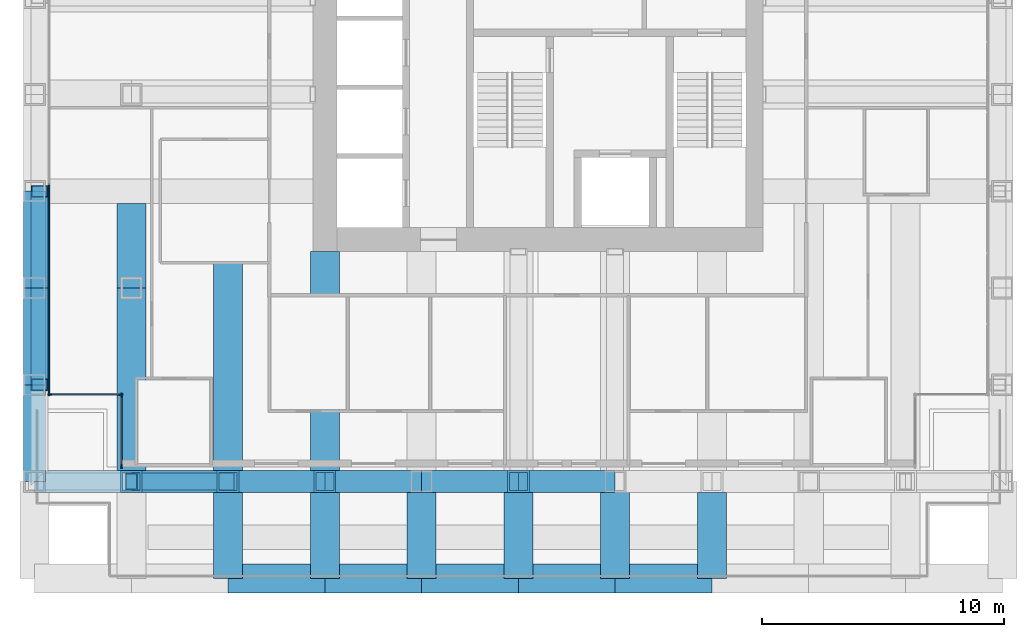
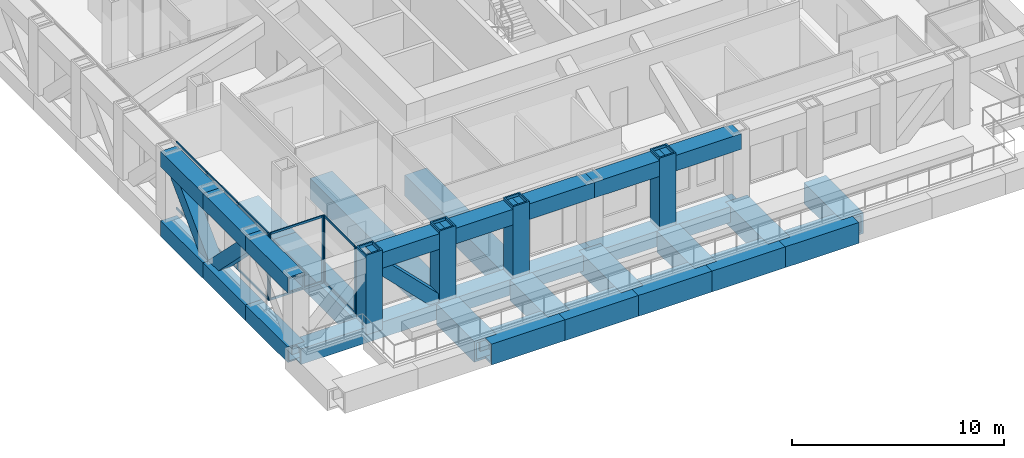
# One storey, part 2 of 16: 28 beams, 24 members, 3 elements without a shape of their own.
"""IFC4 building model written with IfcOpenShell, lengths in metres."""

from ifc_helpers import new_model, si_unit, direction, frame, origin, origin_2d, place, context, subcontext, project, spatial, rectangle, hollow_rectangle, extrude, material, material_profile, profile_set, type_object, element, aggregate, save


model = new_model("IFC4")

# Units and contexts
model_context = context("Model", 3, precision=1e-05, world=origin(), true_north=direction((0.0, 1.0)))
body_context = subcontext(model_context, "Body", "Model", "MODEL_VIEW")
ifc_project = project(units=[si_unit("LENGTHUNIT", "METRE"), si_unit("AREAUNIT", "SQUARE_METRE"), si_unit("VOLUMEUNIT", "CUBIC_METRE"), si_unit("PLANEANGLEUNIT", "RADIAN"), si_unit("MASSUNIT", "GRAM", prefix="KILO")], contexts=[model_context])

# Site, building, storey
site_placement = place(None, origin())
site = spatial("IfcSite", under=ifc_project, at=site_placement, CompositionType="ELEMENT")
building_placement = place(site_placement, origin())
building = spatial("IfcBuilding", under=site, at=building_placement, Name="Rimbunsela Tower", CompositionType="ELEMENT")
storey_placement = place(building_placement, frame((0.0, 0.0, 171.800048828125)))
storey = spatial("IfcBuildingStorey", under=building, at=storey_placement, Name="L41", CompositionType="ELEMENT", Elevation=171.800048828125)

# Beams
ifc_material_1 = material(Name="Steel BJ 55 (fy 410 MPa)", Category="steel")
ifc_material_profile_1 = material_profile(ifc_material_1, hollow_rectangle(XDim=1.199951171875, YDim=1.199951171875, WallThickness=0.10009765625, at=origin_2d()), Name="BOX 1200x1200x100")
ifc_profile_set_1 = profile_set([ifc_material_profile_1], Name="Steel BJ 55 (fy 410 MPa)")
beam_type_1 = type_object("IfcBeamType", Name="Beam BOX 1200x1200x100", PredefinedType="BEAM", material=ifc_profile_set_1)
beam_1_placement = place(storey_placement, frame((14.0, 8.449951171875, -0.75), z_axis=(0.0, 1.0, 0.0), x_axis=(-1.0, 0.0, 0.0)))
element("IfcBeam", 1, at=beam_1_placement, inside=storey, type_object=beam_type_1, Name="Beam B5 L41", PredefinedType="BEAM", context=body_context, shape_type="SweptSolid", body=[
    extrude(hollow_rectangle(XDim=1.199951171875, YDim=1.199951171875, WallThickness=0.10009765625, at=origin_2d()), origin(), (0.0, 0.0, 1.0), 11.050048828125),
])
beam_2_placement = place(storey_placement, frame((18.0, 8.449951171875, -0.75), z_axis=(0.0, 1.0, 0.0), x_axis=(-1.0, 0.0, 0.0)))
element("IfcBeam", 2, at=beam_2_placement, inside=storey, type_object=beam_type_1, Name="Beam B5 L41", PredefinedType="BEAM", context=body_context, shape_type="SweptSolid", body=[
    extrude(hollow_rectangle(XDim=1.199951171875, YDim=1.199951171875, WallThickness=0.10009765625, at=origin_2d()), origin(), (0.0, 0.0, 1.0), 9.050048828125),
])
ifc_material_2 = material(Name="Steel BJ 55 (fy 410 MPa)", Category="steel")
ifc_material_profile_2 = material_profile(ifc_material_2, hollow_rectangle(XDim=1.199951171875, YDim=1.199951171875, WallThickness=0.125, at=origin_2d()), Name="BOX 1200x1200x125")
ifc_profile_set_2 = profile_set([ifc_material_profile_2], Name="Steel BJ 55 (fy 410 MPa)")
beam_type_2 = type_object("IfcBeamType", Name="Beam BOX 1200x1200x125", PredefinedType="BEAM", material=ifc_profile_set_2)
beam_3_placement = place(storey_placement, frame((10.0, 8.449951171875, -0.75), z_axis=(0.0, 1.0, 0.0), x_axis=(-1.0, 0.0, 0.0)))
element("IfcBeam", 3, at=beam_3_placement, inside=storey, type_object=beam_type_2, Name="Beam B4 L41", PredefinedType="BEAM", context=body_context, shape_type="SweptSolid", body=[
    extrude(hollow_rectangle(XDim=1.199951171875, YDim=1.199951171875, WallThickness=0.125, at=origin_2d()), origin(), (0.0, 0.0, 1.0), 7.550048828125),
])
beam_4_placement = place(storey_placement, frame((10.0, 16.0, -0.75), z_axis=(0.0, 1.0, 0.0), x_axis=(-1.0, 0.0, 0.0)))
element("IfcBeam", 4, at=beam_4_placement, inside=storey, type_object=beam_type_2, Name="Beam B4 L41", PredefinedType="BEAM", context=body_context, shape_type="SweptSolid", body=[
    extrude(hollow_rectangle(XDim=1.199951171875, YDim=1.199951171875, WallThickness=0.125, at=origin_2d()), origin(), (0.0, 0.0, 1.0), 3.5),
])
beam_5_placement = place(storey_placement, frame((14.0, 4.0, -0.75), z_axis=(0.0, 1.0, 0.0), x_axis=(-1.0, 0.0, 0.0)))
element("IfcBeam", 5, at=beam_5_placement, inside=storey, type_object=beam_type_2, Name="Beam B4 L41", PredefinedType="BEAM", context=body_context, shape_type="SweptSolid", body=[
    extrude(hollow_rectangle(XDim=1.199951171875, YDim=1.199951171875, WallThickness=0.125, at=origin_2d()), origin(), (0.0, 0.0, 1.0), 3.550048828125),
])
beam_6_placement = place(storey_placement, frame((14.0, 4.0, -0.75), z_axis=(1.0, 0.0, 0.0), x_axis=(0.0, 1.0, 0.0)))
element("IfcBeam", 6, at=beam_6_placement, inside=storey, type_object=beam_type_2, Name="Beam B4 L41", PredefinedType="BEAM", context=body_context, shape_type="SweptSolid", body=[
    extrude(hollow_rectangle(XDim=1.199951171875, YDim=1.199951171875, WallThickness=0.125, at=origin_2d()), origin(), (0.0, 0.0, 1.0), 4.0),
])
beam_7_placement = place(storey_placement, frame((18.0, 4.0, -0.75), z_axis=(0.0, 1.0, 0.0), x_axis=(-1.0, 0.0, 0.0)))
element("IfcBeam", 7, at=beam_7_placement, inside=storey, type_object=beam_type_2, Name="Beam B4 L41", PredefinedType="BEAM", context=body_context, shape_type="SweptSolid", body=[
    extrude(hollow_rectangle(XDim=1.199951171875, YDim=1.199951171875, WallThickness=0.125, at=origin_2d()), origin(), (0.0, 0.0, 1.0), 3.550048828125),
])
for number, where, z_axis, x_axis, name in (
    (8, (18.0, 4.0, -0.75), (1.0, 0.0, 0.0), (0.0, 1.0, 0.0), "Beam B4 L41"),
    (9, (22.0, 4.0, -0.75), (0.0, 1.0, 0.0), (-1.0, 0.0, 0.0), "Beam B4 L41"),
    (10, (22.0, 4.0, -0.75), (1.0, 0.0, 0.0), (0.0, 1.0, 0.0), "Beam B4 L41"),
):
    element("IfcBeam", number, at=place(storey_placement, frame(where, z_axis=z_axis, x_axis=x_axis)), inside=storey, type_object=beam_type_2, Name=name, PredefinedType="BEAM", context=body_context, shape_type="SweptSolid", body=[
        extrude(hollow_rectangle(XDim=1.199951171875, YDim=1.199951171875, WallThickness=0.125, at=origin_2d()), origin(), (0.0, 0.0, 1.0), 4.0),
    ])
beam_8_placement = place(storey_placement, frame((26.0, 4.0, -0.75), z_axis=(0.0, 1.0, 0.0), x_axis=(-1.0, 0.0, 0.0)))
element("IfcBeam", 11, at=beam_8_placement, inside=storey, type_object=beam_type_2, Name="Beam B4 L41", PredefinedType="BEAM", context=body_context, shape_type="SweptSolid", body=[
    extrude(hollow_rectangle(XDim=1.199951171875, YDim=1.199951171875, WallThickness=0.125, at=origin_2d()), origin(), (0.0, 0.0, 1.0), 3.550048828125),
])
for number, where, z_axis, x_axis, name in (
    (12, (26.0, 4.0, -0.75), (1.0, 0.0, 0.0), (0.0, 1.0, 0.0), "Beam B4 L41"),
    (13, (30.0, 4.0, -0.75), (0.0, 1.0, 0.0), (-1.0, 0.0, 0.0), "Beam B4 L41"),
    (14, (30.0, 4.0, -0.75), (1.0, 0.0, 0.0), (0.0, 1.0, 0.0), "Beam B4 L41"),
):
    element("IfcBeam", number, at=place(storey_placement, frame(where, z_axis=z_axis, x_axis=x_axis)), inside=storey, type_object=beam_type_2, Name=name, PredefinedType="BEAM", context=body_context, shape_type="SweptSolid", body=[
        extrude(hollow_rectangle(XDim=1.199951171875, YDim=1.199951171875, WallThickness=0.125, at=origin_2d()), origin(), (0.0, 0.0, 1.0), 4.0),
    ])
beam_9_placement = place(storey_placement, frame((34.0, 4.0, -0.75), z_axis=(0.0, 1.0, 0.0), x_axis=(-1.0, 0.0, 0.0)))
element("IfcBeam", 15, at=beam_9_placement, inside=storey, type_object=beam_type_2, Name="Beam B4 L41", PredefinedType="BEAM", context=body_context, shape_type="SweptSolid", body=[
    extrude(hollow_rectangle(XDim=1.199951171875, YDim=1.199951171875, WallThickness=0.125, at=origin_2d()), origin(), (0.0, 0.0, 1.0), 3.550048828125),
])

# Curtain wall, members
ifc_material_3 = material(Name="Aluminium curtain wall", Category="aluminium")
curtain_wall_type_1 = type_object("IfcCurtainWallType", Name="Exoskeleton storey infill", PredefinedType="USERDEFINED", material=ifc_material_3)
curtain_wall_1_placement = place(storey_placement, origin())
curtain_wall_1 = element("IfcCurtainWall", 16, at=curtain_wall_1_placement, inside=storey, type_object=curtain_wall_type_1, Name="Exoskeleton storey infill L41", ObjectType="EXOSKELETON STOREY INFILL", PredefinedType="USERDEFINED")
ifc_material_4 = material(Name="Aluminium mullion", Category="aluminium")
ifc_material_profile_3 = material_profile(ifc_material_4, rectangle(XDim=0.06005859375, YDim=0.159912109375, at=origin_2d()), Name="Mullion 60x160")
ifc_profile_set_3 = profile_set([ifc_material_profile_3], Name="Aluminium mullion")
member_type_1 = type_object("IfcMemberType", Name="Curtain wall mullion 60x160", PredefinedType="MULLION", material=ifc_profile_set_3)
member_1_placement = place(storey_placement, frame((6.60009765625, 17.428466796875, 0.0), z_axis=(0.0, 0.0, 1.0), x_axis=(1.0, 0.0, 0.0)))
member_1 = element("IfcMember", 17, at=member_1_placement, type_object=member_type_1, Name="CW2 mullion 13", PredefinedType="MULLION", context=body_context, shape_type="SweptSolid", body=[
    extrude(rectangle(XDim=0.06005859375, YDim=0.159912109375, at=origin_2d()), origin(), (0.0, 0.0, 1.0), 3.849853515625),
])
member_2_placement = place(storey_placement, frame((6.60009765625, 14.514404296875, 0.0), z_axis=(0.0, 0.0, 1.0), x_axis=(1.0, 0.0, 0.0)))
member_2 = element("IfcMember", 18, at=member_2_placement, type_object=member_type_1, Name="CW2 mullion 14", PredefinedType="MULLION", context=body_context, shape_type="SweptSolid", body=[
    extrude(rectangle(XDim=0.06005859375, YDim=0.159912109375, at=origin_2d()), origin(), (0.0, 0.0, 1.0), 3.849853515625),
])
member_3_placement = place(storey_placement, frame((6.60009765625, 11.6298828125, 0.0), z_axis=(0.0, 0.0, 1.0), x_axis=(1.0, 0.0, 0.0)))
member_3 = element("IfcMember", 19, at=member_3_placement, type_object=member_type_1, Name="CW2 mullion 15", PredefinedType="MULLION", context=body_context, shape_type="SweptSolid", body=[
    extrude(rectangle(XDim=0.06005859375, YDim=0.159912109375, at=origin_2d()), origin(), (0.0, 0.0, 1.0), 3.849853515625),
])

ifc_material_5 = material(Name="Aluminium curtain wall", Category="aluminium")
curtain_wall_type_2 = type_object("IfcCurtainWallType", Name="Corner glazing", PredefinedType="USERDEFINED", material=ifc_material_5)
curtain_wall_2_placement = place(storey_placement, origin())
curtain_wall_2 = element("IfcCurtainWall", 20, at=curtain_wall_2_placement, inside=storey, type_object=curtain_wall_type_2, Name="Corner glazing L41", ObjectType="CORNER GLAZING", PredefinedType="USERDEFINED")
member_4_placement = place(storey_placement, frame((6.6298828125, 11.60009765625, 0.0), z_axis=(0.0, 0.0, 1.0), x_axis=(0.0, 1.0, 0.0)))
member_4 = element("IfcMember", 21, at=member_4_placement, type_object=member_type_1, Name="CW5 mullion 1", PredefinedType="MULLION", context=body_context, shape_type="SweptSolid", body=[
    extrude(rectangle(XDim=0.06005859375, YDim=0.159912109375, at=origin_2d()), origin(), (0.0, 0.0, 1.0), 3.849853515625),
])
member_5_placement = place(storey_placement, frame((9.570068359375, 11.60009765625, 0.0), z_axis=(0.0, 0.0, 1.0), x_axis=(0.0, 1.0, 0.0)))
member_5 = element("IfcMember", 22, at=member_5_placement, type_object=member_type_1, Name="CW5 mullion 2", PredefinedType="MULLION", context=body_context, shape_type="SweptSolid", body=[
    extrude(rectangle(XDim=0.06005859375, YDim=0.159912109375, at=origin_2d()), origin(), (0.0, 0.0, 1.0), 3.849853515625),
])

curtain_wall_3_placement = place(storey_placement, origin())
curtain_wall_3 = element("IfcCurtainWall", 23, at=curtain_wall_3_placement, inside=storey, type_object=curtain_wall_type_2, Name="Corner glazing L41", ObjectType="CORNER GLAZING", PredefinedType="USERDEFINED")
member_6_placement = place(storey_placement, frame((9.60009765625, 11.570068359375, 0.0), z_axis=(0.0, 0.0, 1.0), x_axis=(1.0, 0.0, 0.0)))
member_6 = element("IfcMember", 24, at=member_6_placement, type_object=member_type_1, Name="CW5 mullion 1", PredefinedType="MULLION", context=body_context, shape_type="SweptSolid", body=[
    extrude(rectangle(XDim=0.06005859375, YDim=0.159912109375, at=origin_2d()), origin(), (0.0, 0.0, 1.0), 3.849853515625),
])
member_7_placement = place(storey_placement, frame((9.60009765625, 8.6298828125, 0.0), z_axis=(0.0, 0.0, 1.0), x_axis=(1.0, 0.0, 0.0)))
member_7 = element("IfcMember", 25, at=member_7_placement, type_object=member_type_1, Name="CW5 mullion 2", PredefinedType="MULLION", context=body_context, shape_type="SweptSolid", body=[
    extrude(rectangle(XDim=0.06005859375, YDim=0.159912109375, at=origin_2d()), origin(), (0.0, 0.0, 1.0), 3.849853515625),
])

# Member
ifc_material_6 = material(Name="Aluminium transom", Category="aluminium")
ifc_material_profile_4 = material_profile(ifc_material_6, rectangle(XDim=0.06005859375, YDim=0.1201171875, at=origin_2d()), Name="Transom 60x120")
ifc_profile_set_4 = profile_set([ifc_material_profile_4], Name="Aluminium transom")
member_type_2 = type_object("IfcMemberType", Name="Curtain wall transom 60x120", PredefinedType="USERDEFINED", material=ifc_profile_set_4)
member_8_placement = place(storey_placement, frame((6.60009765625, 20.312744140625, 0.030029296875), z_axis=(0.0, -1.0, 0.0), x_axis=(1.0, 0.0, 0.0)))
member_8 = element("IfcMember", 26, at=member_8_placement, type_object=member_type_2, Name="CW2 transom 12.1", ObjectType="TRANSOM", PredefinedType="USERDEFINED", context=body_context, shape_type="SweptSolid", body=[
    extrude(rectangle(XDim=0.06005859375, YDim=0.1201171875, at=origin_2d()), origin(), (0.0, 0.0, 1.0), 2.854248046875),
])

member_9_placement = place(storey_placement, frame((6.60009765625, 20.312744140625, 3.820068359375), z_axis=(0.0, -1.0, 0.0), x_axis=(1.0, 0.0, 0.0)))
member_9 = element("IfcMember", 27, at=member_9_placement, type_object=member_type_2, Name="CW2 transom 12.2", ObjectType="TRANSOM", PredefinedType="USERDEFINED", context=body_context, shape_type="SweptSolid", body=[
    extrude(rectangle(XDim=0.06005859375, YDim=0.1201171875, at=origin_2d()), origin(), (0.0, 0.0, 1.0), 2.854248046875),
])

member_10_placement = place(storey_placement, frame((6.60009765625, 17.398681640625, 0.030029296875), z_axis=(0.0, -1.0, 0.0), x_axis=(1.0, 0.0, 0.0)))
member_10 = element("IfcMember", 28, at=member_10_placement, type_object=member_type_2, Name="CW2 transom 13.1", ObjectType="TRANSOM", PredefinedType="USERDEFINED", context=body_context, shape_type="SweptSolid", body=[
    extrude(rectangle(XDim=0.06005859375, YDim=0.1201171875, at=origin_2d()), origin(), (0.0, 0.0, 1.0), 2.8544921875),
])

member_11_placement = place(storey_placement, frame((6.60009765625, 17.398681640625, 3.820068359375), z_axis=(0.0, -1.0, 0.0), x_axis=(1.0, 0.0, 0.0)))
member_11 = element("IfcMember", 29, at=member_11_placement, type_object=member_type_2, Name="CW2 transom 13.2", ObjectType="TRANSOM", PredefinedType="USERDEFINED", context=body_context, shape_type="SweptSolid", body=[
    extrude(rectangle(XDim=0.06005859375, YDim=0.1201171875, at=origin_2d()), origin(), (0.0, 0.0, 1.0), 2.8544921875),
])

member_12_placement = place(storey_placement, frame((6.60009765625, 14.484375, 0.030029296875), z_axis=(0.0, -1.0, 0.0), x_axis=(1.0, 0.0, 0.0)))
member_12 = element("IfcMember", 30, at=member_12_placement, type_object=member_type_2, Name="CW2 transom 14.1", ObjectType="TRANSOM", PredefinedType="USERDEFINED", context=body_context, shape_type="SweptSolid", body=[
    extrude(rectangle(XDim=0.06005859375, YDim=0.1201171875, at=origin_2d()), origin(), (0.0, 0.0, 1.0), 2.824462890625),
])

member_13_placement = place(storey_placement, frame((6.60009765625, 14.484375, 3.820068359375), z_axis=(0.0, -1.0, 0.0), x_axis=(1.0, 0.0, 0.0)))
member_13 = element("IfcMember", 31, at=member_13_placement, type_object=member_type_2, Name="CW2 transom 14.2", ObjectType="TRANSOM", PredefinedType="USERDEFINED", context=body_context, shape_type="SweptSolid", body=[
    extrude(rectangle(XDim=0.06005859375, YDim=0.1201171875, at=origin_2d()), origin(), (0.0, 0.0, 1.0), 2.824462890625),
])

aggregate(curtain_wall_1, [member_1, member_2, member_3, member_8, member_9, member_10, member_11, member_12, member_13])

member_14_placement = place(storey_placement, frame((6.659912109375, 11.60009765625, 0.030029296875), z_axis=(1.0, 0.0, 0.0), x_axis=(0.0, 1.0, 0.0)))
member_14 = element("IfcMember", 32, at=member_14_placement, type_object=member_type_2, Name="CW5 transom 1.1", ObjectType="TRANSOM", PredefinedType="USERDEFINED", context=body_context, shape_type="SweptSolid", body=[
    extrude(rectangle(XDim=0.06005859375, YDim=0.1201171875, at=origin_2d()), origin(), (0.0, 0.0, 1.0), 2.880126953125),
])

member_15_placement = place(storey_placement, frame((6.659912109375, 11.60009765625, 3.820068359375), z_axis=(1.0, 0.0, 0.0), x_axis=(0.0, 1.0, 0.0)))
member_15 = element("IfcMember", 33, at=member_15_placement, type_object=member_type_2, Name="CW5 transom 1.2", ObjectType="TRANSOM", PredefinedType="USERDEFINED", context=body_context, shape_type="SweptSolid", body=[
    extrude(rectangle(XDim=0.06005859375, YDim=0.1201171875, at=origin_2d()), origin(), (0.0, 0.0, 1.0), 2.880126953125),
])

aggregate(curtain_wall_2, [member_4, member_5, member_14, member_15])

member_16_placement = place(storey_placement, frame((9.60009765625, 11.5400390625, 0.030029296875), z_axis=(0.0, -1.0, 0.0), x_axis=(1.0, 0.0, 0.0)))
member_16 = element("IfcMember", 34, at=member_16_placement, type_object=member_type_2, Name="CW5 transom 1.1", ObjectType="TRANSOM", PredefinedType="USERDEFINED", context=body_context, shape_type="SweptSolid", body=[
    extrude(rectangle(XDim=0.06005859375, YDim=0.1201171875, at=origin_2d()), origin(), (0.0, 0.0, 1.0), 2.880126953125),
])

member_17_placement = place(storey_placement, frame((9.60009765625, 11.5400390625, 3.820068359375), z_axis=(0.0, -1.0, 0.0), x_axis=(1.0, 0.0, 0.0)))
member_17 = element("IfcMember", 35, at=member_17_placement, type_object=member_type_2, Name="CW5 transom 1.2", ObjectType="TRANSOM", PredefinedType="USERDEFINED", context=body_context, shape_type="SweptSolid", body=[
    extrude(rectangle(XDim=0.06005859375, YDim=0.1201171875, at=origin_2d()), origin(), (0.0, 0.0, 1.0), 2.880126953125),
])

aggregate(curtain_wall_3, [member_6, member_7, member_16, member_17])

# Beams
ifc_material_7 = material(Name="Steel BJ 55 (fy 410 MPa)", Category="steel")
ifc_material_profile_5 = material_profile(ifc_material_7, hollow_rectangle(XDim=0.89990234375, YDim=0.89990234375, WallThickness=0.080078125, at=origin_2d()), Name="BOX 900x900x80")
ifc_profile_set_5 = profile_set([ifc_material_profile_5], Name="Steel BJ 55 (fy 410 MPa)")
beam_type_3 = type_object("IfcBeamType", Name="Truss chord BOX 900x900x80", PredefinedType="USERDEFINED", material=ifc_profile_set_5)
for number, where, z_axis, x_axis, name in (
    (36, (10.0, 8.0, 3.39990234375), (1.0, 0.0, 0.0), (0.0, 1.0, 0.0), "Truss top chord TC3 S face L41"),
    (37, (14.0, 8.0, 3.39990234375), (1.0, 0.0, 0.0), (0.0, 1.0, 0.0), "Truss top chord TC3 S face L41"),
    (38, (18.0, 8.0, 3.39990234375), (1.0, 0.0, 0.0), (0.0, 1.0, 0.0), "Truss top chord TC3 S face L41"),
    (39, (22.0, 8.0, 3.39990234375), (1.0, 0.0, 0.0), (0.0, 1.0, 0.0), "Truss top chord TC3 S face L41"),
    (40, (26.0, 8.0, 3.39990234375), (1.0, 0.0, 0.0), (0.0, 1.0, 0.0), "Truss top chord TC3 S face L41"),
    (41, (6.0, 8.0, 3.39990234375), (0.0, 1.0, 0.0), (-1.0, 0.0, 0.0), "Truss top chord TC3 W face L41"),
    (42, (6.0, 12.0, 3.39990234375), (0.0, 1.0, 0.0), (-1.0, 0.0, 0.0), "Truss top chord TC3 W face L41"),
    (43, (6.0, 16.0, 3.39990234375), (0.0, 1.0, 0.0), (-1.0, 0.0, 0.0), "Truss top chord TC3 W face L41"),
):
    element("IfcBeam", number, at=place(storey_placement, frame(where, z_axis=z_axis, x_axis=x_axis)), inside=storey, type_object=beam_type_3, Name=name, ObjectType="TRUSS CHORD", PredefinedType="USERDEFINED", context=body_context, shape_type="SweptSolid", body=[
        extrude(hollow_rectangle(XDim=0.89990234375, YDim=0.89990234375, WallThickness=0.080078125, at=origin_2d()), origin(), (0.0, 0.0, 1.0), 4.0),
    ])
beam_10_placement = place(storey_placement, frame((6.0, 8.0, -0.60009765625), z_axis=(1.0, 0.0, 0.0), x_axis=(0.0, 1.0, 0.0)))
element("IfcBeam", 44, at=beam_10_placement, inside=storey, type_object=beam_type_3, Name="Truss bottom chord TC3 S face L41", ObjectType="TRUSS CHORD", PredefinedType="USERDEFINED", context=body_context, shape_type="SweptSolid", body=[
    extrude(hollow_rectangle(XDim=0.89990234375, YDim=0.89990234375, WallThickness=0.080078125, at=origin_2d()), origin(), (0.0, 0.0, 1.0), 16.0),
])
beam_11_placement = place(storey_placement, frame((22.0, 8.0, -0.60009765625), z_axis=(1.0, 0.0, 0.0), x_axis=(0.0, 1.0, 0.0)))
element("IfcBeam", 45, at=beam_11_placement, inside=storey, type_object=beam_type_3, Name="Truss bottom chord TC3 S face L41", ObjectType="TRUSS CHORD", PredefinedType="USERDEFINED", context=body_context, shape_type="SweptSolid", body=[
    extrude(hollow_rectangle(XDim=0.89990234375, YDim=0.89990234375, WallThickness=0.080078125, at=origin_2d()), origin(), (0.0, 0.0, 1.0), 8.0),
])
for number, where, z_axis, x_axis, name in (
    (46, (6.0, 8.0, -0.60009765625), (0.0, 1.0, 0.0), (-1.0, 0.0, 0.0), "Truss bottom chord TC3 W face L41"),
    (47, (6.0, 12.0, -0.60009765625), (0.0, 1.0, 0.0), (-1.0, 0.0, 0.0), "Truss bottom chord TC3 W face L41"),
    (48, (6.0, 16.0, -0.60009765625), (0.0, 1.0, 0.0), (-1.0, 0.0, 0.0), "Truss bottom chord TC3 W face L41"),
):
    element("IfcBeam", number, at=place(storey_placement, frame(where, z_axis=z_axis, x_axis=x_axis)), inside=storey, type_object=beam_type_3, Name=name, ObjectType="TRUSS CHORD", PredefinedType="USERDEFINED", context=body_context, shape_type="SweptSolid", body=[
        extrude(hollow_rectangle(XDim=0.89990234375, YDim=0.89990234375, WallThickness=0.080078125, at=origin_2d()), origin(), (0.0, 0.0, 1.0), 4.0),
    ])

# Members
ifc_material_8 = material(Name="Steel BJ 55 (fy 410 MPa)", Category="steel")
ifc_material_profile_6 = material_profile(ifc_material_8, hollow_rectangle(XDim=0.699951171875, YDim=0.699951171875, WallThickness=0.0400390625, at=origin_2d()), Name="BOX 700x700x40")
ifc_profile_set_6 = profile_set([ifc_material_profile_6], Name="Steel BJ 55 (fy 410 MPa)")
member_type_3 = type_object("IfcMemberType", Name="Truss diagonal BOX 700x700x40", PredefinedType="BRACE", material=ifc_profile_set_6)
for number, where, z_axis, x_axis, name in (
    (49, (10.0, 8.0, 3.39990234375), (0.707106781187, 0.0, -0.707106781187), (0.0, 1.0, 0.0), "Truss diagonal TD3 S face L41"),
    (50, (6.199951171875, 12.0, 3.39990234375), (0.0, 0.707106781187, -0.707106781187), (-1.0, 0.0, 0.0), "Truss diagonal TD3 W face L41"),
    (51, (6.199951171875, 16.0, -0.60009765625), (0.0, 0.707106781187, 0.707106781187), (-1.0, 0.0, 0.0), "Truss diagonal TD3 W face L41"),
):
    element("IfcMember", number, at=place(storey_placement, frame(where, z_axis=z_axis, x_axis=x_axis)), inside=storey, type_object=member_type_3, Name=name, PredefinedType="BRACE", context=body_context, shape_type="SweptSolid", body=[
        extrude(hollow_rectangle(XDim=0.699951171875, YDim=0.699951171875, WallThickness=0.0400390625, at=origin_2d()), origin(), (0.0, 0.0, 1.0), 5.65673828125),
    ])
ifc_material_9 = material(Name="Steel BJ 55 (fy 410 MPa)", Category="steel")
ifc_material_profile_7 = material_profile(ifc_material_9, hollow_rectangle(XDim=0.89990234375, YDim=0.89990234375, WallThickness=0.080078125, at=origin_2d()), Name="BOX 900x900x80")
ifc_profile_set_7 = profile_set([ifc_material_profile_7], Name="Steel BJ 55 (fy 410 MPa)")
member_type_4 = type_object("IfcMemberType", Name="Truss post BOX 900x900x80", PredefinedType="POST", material=ifc_profile_set_7)
for number, where, z_axis, x_axis, name in (
    (52, (10.0, 8.0, -0.60009765625), (0.0, 0.0, 1.0), (1.0, 0.0, 0.0), "Truss post TP3 5/D L41"),
    (53, (14.0, 8.0, -0.60009765625), (0.0, 0.0, 1.0), (1.0, 0.0, 0.0), "Truss post TP3 6/D L41"),
    (54, (18.0, 8.0, -0.60009765625), (0.0, 0.0, 1.0), (1.0, 0.0, 0.0), "Truss post TP3 7/D L41"),
    (55, (26.0, 8.0, -0.60009765625), (0.0, 0.0, 1.0), (1.0, 0.0, 0.0), "Truss post TP3 9/D L41"),
):
    element("IfcMember", number, at=place(storey_placement, frame(where, z_axis=z_axis, x_axis=x_axis)), inside=storey, type_object=member_type_4, Name=name, PredefinedType="POST", context=body_context, shape_type="SweptSolid", body=[
        extrude(hollow_rectangle(XDim=0.89990234375, YDim=0.89990234375, WallThickness=0.080078125, at=origin_2d()), origin(), (0.0, 0.0, 1.0), 4.60009765625),
    ])

save(model, "model.ifc")
